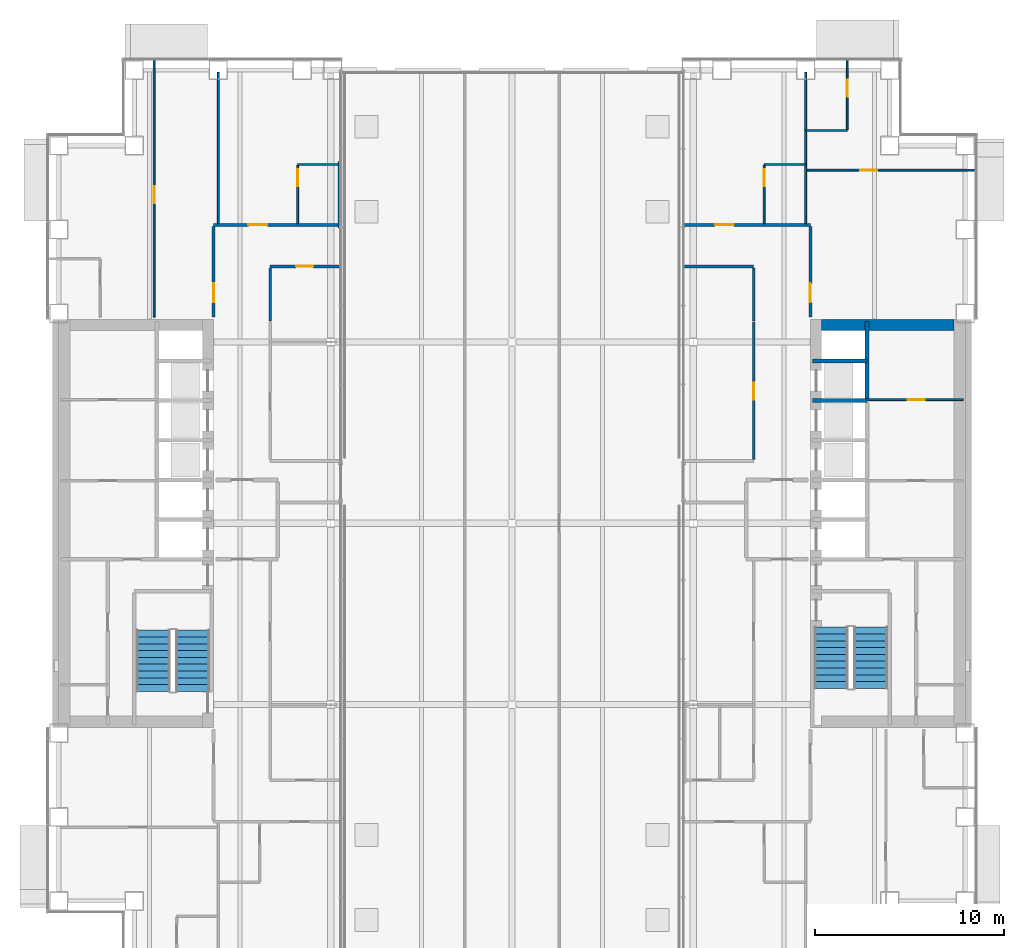
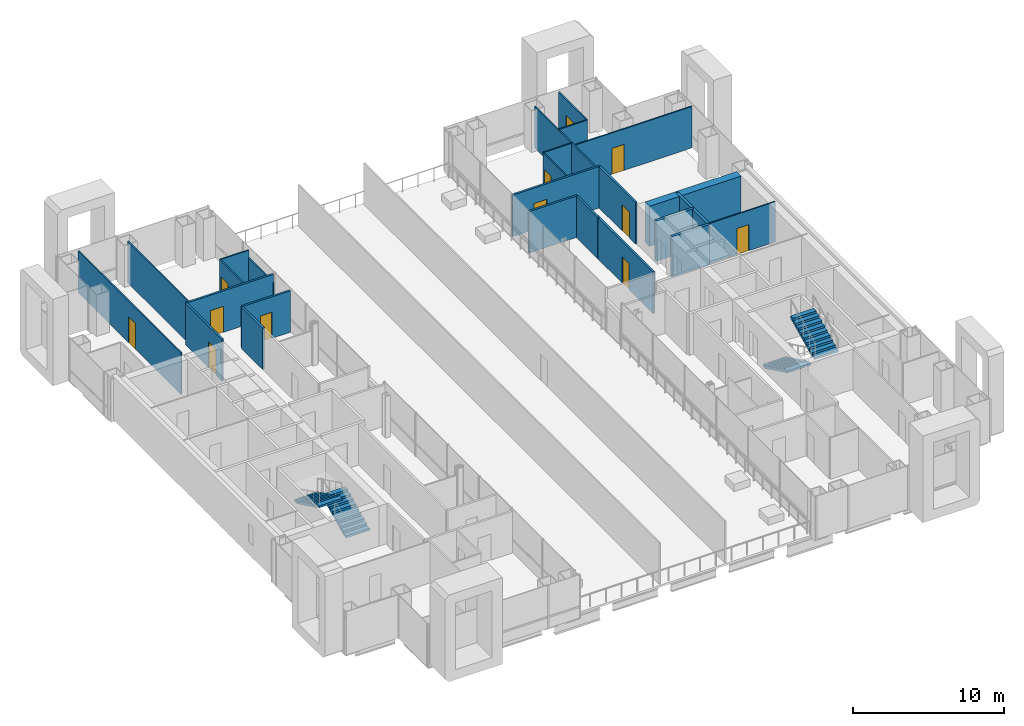
# One storey, part 20 of 24: 25 walls, 12 doors, 4 stair flights, 12 openings, 2 elements without a shape of their own.
"""IFC4 building model written with IfcOpenShell, lengths in metres."""

from ifc_helpers import new_model, si_unit, direction, frame, frame_2d, origin, place, context, subcontext, project, spatial, polyline, rectangle, outline, extrude, material, layer, layer_set, type_object, element, fill, aggregate, save


model = new_model("IFC4")

# Units and contexts
model_context = context("Model", 3, precision=1e-05, world=origin(), true_north=direction((0.0, 1.0)))
body_context = subcontext(model_context, "Body", "Model", "MODEL_VIEW")
ifc_project = project(units=[si_unit("LENGTHUNIT", "METRE"), si_unit("AREAUNIT", "SQUARE_METRE"), si_unit("VOLUMEUNIT", "CUBIC_METRE"), si_unit("PLANEANGLEUNIT", "RADIAN"), si_unit("MASSUNIT", "GRAM", prefix="KILO")], contexts=[model_context])

# Site, building, storey
site_placement = place(None, origin())
site = spatial("IfcSite", under=ifc_project, at=site_placement, CompositionType="ELEMENT")
building_placement = place(site_placement, origin())
building = spatial("IfcBuilding", under=site, at=building_placement, Name="Cobrizo Arcos Hotel Tower", CompositionType="ELEMENT")
storey_placement = place(building_placement, frame((0.0, 0.0, 60.0)))
storey = spatial("IfcBuildingStorey", under=building, at=storey_placement, Name="L13", CompositionType="ELEMENT", Elevation=60.0)

# Wall, opening, door
ifc_material_1 = material(Name="Gypsum board partition")
ifc_layer_1 = layer(ifc_material_1, 0.14990234375)
ifc_layer_set_1 = layer_set([ifc_layer_1], Name="Corridor wall EI 60 150")
wall_type_1 = type_object("IfcWallType", Name="Corridor wall EI 60 150", PredefinedType="PARTITIONING", material=ifc_layer_set_1)
wall_1_placement = place(storey_placement, frame((-12.800048828125, 13.60009765625, 0.0), z_axis=(0.0, 0.0, 1.0), x_axis=(1.0, 0.0, 0.0)))
wall_1 = element("IfcWall", 1, at=wall_1_placement, inside=storey, type_object=wall_type_1, Name="Partition 044", PredefinedType="PARTITIONING", context=body_context, shape_type="SweptSolid", body=[
    extrude(rectangle(XDim=3.679931640625, YDim=0.14990234375, at=frame_2d((1.83984375, 0.0))), origin(), (0.0, 0.0, 1.0), 3.35009765625),
])
opening_1_placement = place(wall_1_placement, frame((1.375, 0.0, 0.0)))
opening_1 = element("IfcOpeningElement", 2, at=opening_1_placement, cuts=wall_1, Name="Opening RD-16", PredefinedType="OPENING", context=body_context, shape_type="SweptSolid", body=[
    extrude(rectangle(XDim=0.89990234375, YDim=2.10009765625, at=frame_2d((0.449951171875, 1.050048828125))), frame((0.0, 0.0869140625, 0.0), z_axis=(0.0, -1.0, 0.0), x_axis=(1.0, 0.0, 0.0)), (0.0, 0.0, 1.0), 0.173828125),
])
ifc_material_2 = material(Name="Timber door leaf", Category="wood")
door_type_1 = type_object("IfcDoorType", Name="Room door FD30 900x2100", OperationType="SINGLE_SWING_LEFT", PredefinedType="DOOR", material=ifc_material_2)
door_1_placement = place(opening_1_placement, origin())
door_1 = element("IfcDoor", 3, at=door_1_placement, inside=storey, type_object=door_type_1, Name="Door RD-16", OperationType="SINGLE_SWING_RIGHT", OverallHeight=2.10009765625, OverallWidth=0.89990234375, PredefinedType="DOOR", context=body_context, shape_type="SweptSolid", body=[
    extrude(rectangle(XDim=0.89990234375, YDim=2.10009765625, at=frame_2d((0.449951171875, 1.050048828125))), frame((0.0, 0.02490234375, 0.0), z_axis=(0.0, -1.0, 0.0), x_axis=(1.0, 0.0, 0.0)), (0.0, 0.0, 1.0), 0.050048828125),
])
fill(opening_1, door_1)

# Wall
wall_2_placement = place(storey_placement, frame((9.1201171875, 13.60009765625, 0.0), z_axis=(0.0, 0.0, 1.0), x_axis=(1.0, 0.0, 0.0)))
element("IfcWall", 4, at=wall_2_placement, inside=storey, type_object=wall_type_1, Name="Partition 045", PredefinedType="PARTITIONING", context=body_context, shape_type="SweptSolid", body=[
    extrude(rectangle(XDim=3.679931640625, YDim=0.14990234375, at=frame_2d((1.83984375, 0.0))), origin(), (0.0, 0.0, 1.0), 3.35009765625),
])

# Wall, opening, door
wall_3_placement = place(storey_placement, frame((-15.800048828125, 15.800048828125, 0.0), z_axis=(0.0, 0.0, 1.0), x_axis=(1.0, 0.0, 0.0)))
wall_3 = element("IfcWall", 5, at=wall_3_placement, inside=storey, type_object=wall_type_1, Name="Partition 047", PredefinedType="PARTITIONING", context=body_context, shape_type="SweptSolid", body=[
    extrude(rectangle(XDim=6.650146484375, YDim=0.14990234375, at=frame_2d((3.3251953125, 0.0))), origin(), (0.0, 0.0, 1.0), 3.35009765625),
])
opening_2_placement = place(wall_3_placement, frame((1.846923828125, 0.0, 0.0)))
opening_2 = element("IfcOpeningElement", 6, at=opening_2_placement, cuts=wall_3, Name="Opening GD-02", PredefinedType="OPENING", context=body_context, shape_type="SweptSolid", body=[
    extrude(rectangle(XDim=1.0, YDim=2.10009765625, at=frame_2d((0.5, 1.050048828125))), frame((0.0, 0.0869140625, 0.0), z_axis=(0.0, -1.0, 0.0), x_axis=(1.0, 0.0, 0.0)), (0.0, 0.0, 1.0), 0.173828125),
])
door_type_2 = type_object("IfcDoorType", Name="Guest room door FD30S 1000x2100", OperationType="SINGLE_SWING_LEFT", PredefinedType="DOOR", material=ifc_material_2)
door_2_placement = place(opening_2_placement, origin())
door_2 = element("IfcDoor", 7, at=door_2_placement, inside=storey, type_object=door_type_2, Name="Door GD-02", OperationType="SINGLE_SWING_RIGHT", OverallHeight=2.10009765625, OverallWidth=1.0, PredefinedType="DOOR", context=body_context, shape_type="SweptSolid", body=[
    extrude(rectangle(XDim=1.0, YDim=2.10009765625, at=frame_2d((0.5, 1.050048828125))), frame((0.0, 0.02490234375, 0.0), z_axis=(0.0, -1.0, 0.0), x_axis=(1.0, 0.0, 0.0)), (0.0, 0.0, 1.0), 0.050048828125),
])
fill(opening_2, door_2)

wall_4_placement = place(storey_placement, frame((9.1201171875, 15.800048828125, 0.0), z_axis=(0.0, 0.0, 1.0), x_axis=(1.0, 0.0, 0.0)))
wall_4 = element("IfcWall", 8, at=wall_4_placement, inside=storey, type_object=wall_type_1, Name="Partition 048", PredefinedType="PARTITIONING", context=body_context, shape_type="SweptSolid", body=[
    extrude(rectangle(XDim=6.679931640625, YDim=0.14990234375, at=frame_2d((3.33984375, 0.0))), origin(), (0.0, 0.0, 1.0), 3.35009765625),
])
opening_3_placement = place(wall_4_placement, frame((1.633056640625, 0.0, 0.0)))
opening_3 = element("IfcOpeningElement", 9, at=opening_3_placement, cuts=wall_4, Name="Opening GD-01", PredefinedType="OPENING", context=body_context, shape_type="SweptSolid", body=[
    extrude(rectangle(XDim=1.0, YDim=2.10009765625, at=frame_2d((0.5, 1.050048828125))), frame((0.0, 0.0869140625, 0.0), z_axis=(0.0, -1.0, 0.0), x_axis=(1.0, 0.0, 0.0)), (0.0, 0.0, 1.0), 0.173828125),
])
door_3_placement = place(opening_3_placement, origin())
door_3 = element("IfcDoor", 10, at=door_3_placement, inside=storey, type_object=door_type_2, Name="Door GD-01", OperationType="SINGLE_SWING_RIGHT", OverallHeight=2.10009765625, OverallWidth=1.0, PredefinedType="DOOR", context=body_context, shape_type="SweptSolid", body=[
    extrude(rectangle(XDim=1.0, YDim=2.10009765625, at=frame_2d((0.5, 1.050048828125))), frame((0.0, 0.02490234375, 0.0), z_axis=(0.0, -1.0, 0.0), x_axis=(1.0, 0.0, 0.0)), (0.0, 0.0, 1.0), 0.050048828125),
])
fill(opening_3, door_3)

wall_5_placement = place(storey_placement, frame((-15.800048828125, 10.919921875, 0.0), z_axis=(0.0, 0.0, 1.0), x_axis=(0.0, 1.0, 0.0)))
wall_5 = element("IfcWall", 11, at=wall_5_placement, inside=storey, type_object=wall_type_1, Name="Partition 062", PredefinedType="PARTITIONING", context=body_context, shape_type="SweptSolid", body=[
    extrude(rectangle(XDim=4.80517578125, YDim=0.14990234375, at=frame_2d((2.402587890625, 0.0))), origin(), (0.0, 0.0, 1.0), 3.35009765625),
])
opening_4_placement = place(wall_5_placement, frame((0.780029296875, 0.0, 0.0)))
opening_4 = element("IfcOpeningElement", 12, at=opening_4_placement, cuts=wall_5, Name="Opening GD-06", PredefinedType="OPENING", context=body_context, shape_type="SweptSolid", body=[
    extrude(rectangle(XDim=1.0, YDim=2.10009765625, at=frame_2d((0.5, 1.050048828125))), frame((0.0, 0.0869140625, 0.0), z_axis=(0.0, -1.0, 0.0), x_axis=(1.0, 0.0, 0.0)), (0.0, 0.0, 1.0), 0.173828125),
])
door_4_placement = place(opening_4_placement, origin())
door_4 = element("IfcDoor", 13, at=door_4_placement, inside=storey, type_object=door_type_2, Name="Door GD-06", OperationType="SINGLE_SWING_LEFT", OverallHeight=2.10009765625, OverallWidth=1.0, PredefinedType="DOOR", context=body_context, shape_type="SweptSolid", body=[
    extrude(rectangle(XDim=1.0, YDim=2.10009765625, at=frame_2d((0.5, 1.050048828125))), frame((0.0, 0.02490234375, 0.0), z_axis=(0.0, -1.0, 0.0), x_axis=(1.0, 0.0, 0.0)), (0.0, 0.0, 1.0), 0.050048828125),
])
fill(opening_4, door_4)

# Wall
wall_6_placement = place(storey_placement, frame((-12.800048828125, 10.699951171875, 0.0), z_axis=(0.0, 0.0, 1.0), x_axis=(0.0, 1.0, 0.0)))
element("IfcWall", 14, at=wall_6_placement, inside=storey, type_object=wall_type_1, Name="Partition 068", PredefinedType="PARTITIONING", context=body_context, shape_type="SweptSolid", body=[
    extrude(rectangle(XDim=2.824951171875, YDim=0.14990234375, at=frame_2d((1.41259765625, 0.0))), origin(), (0.0, 0.0, 1.0), 3.35009765625),
])

# Wall, opening, door
wall_7_placement = place(storey_placement, frame((12.800048828125, 3.375, 0.0), z_axis=(0.0, 0.0, 1.0), x_axis=(0.0, 1.0, 0.0)))
wall_7 = element("IfcWall", 15, at=wall_7_placement, inside=storey, type_object=wall_type_1, Name="Partition 078", PredefinedType="PARTITIONING", context=body_context, shape_type="SweptSolid", body=[
    extrude(rectangle(XDim=7.27490234375, YDim=0.14990234375, at=frame_2d((3.637451171875, 0.0))), origin(), (0.0, 0.0, 1.0), 3.35009765625),
])
opening_5_placement = place(wall_7_placement, frame((3.175048828125, 0.0, 0.0)))
opening_5 = element("IfcOpeningElement", 16, at=opening_5_placement, cuts=wall_7, Name="Opening RD-18", PredefinedType="OPENING", context=body_context, shape_type="SweptSolid", body=[
    extrude(rectangle(XDim=0.89990234375, YDim=2.10009765625, at=frame_2d((0.449951171875, 1.050048828125))), frame((0.0, 0.0869140625, 0.0), z_axis=(0.0, -1.0, 0.0), x_axis=(1.0, 0.0, 0.0)), (0.0, 0.0, 1.0), 0.173828125),
])
door_5_placement = place(opening_5_placement, origin())
door_5 = element("IfcDoor", 17, at=door_5_placement, inside=storey, type_object=door_type_1, Name="Door RD-18", OperationType="SINGLE_SWING_LEFT", OverallHeight=2.10009765625, OverallWidth=0.89990234375, PredefinedType="DOOR", context=body_context, shape_type="SweptSolid", body=[
    extrude(rectangle(XDim=0.89990234375, YDim=2.10009765625, at=frame_2d((0.449951171875, 1.050048828125))), frame((0.0, 0.02490234375, 0.0), z_axis=(0.0, -1.0, 0.0), x_axis=(1.0, 0.0, 0.0)), (0.0, 0.0, 1.0), 0.050048828125),
])
fill(opening_5, door_5)

# Wall
wall_8_placement = place(storey_placement, frame((12.800048828125, 10.699951171875, 0.0), z_axis=(0.0, 0.0, 1.0), x_axis=(0.0, 1.0, 0.0)))
element("IfcWall", 18, at=wall_8_placement, inside=storey, type_object=wall_type_1, Name="Partition 079", PredefinedType="PARTITIONING", context=body_context, shape_type="SweptSolid", body=[
    extrude(rectangle(XDim=2.824951171875, YDim=0.14990234375, at=frame_2d((1.41259765625, 0.0))), origin(), (0.0, 0.0, 1.0), 3.35009765625),
])

# Wall, opening, door
wall_9_placement = place(storey_placement, frame((15.800048828125, 10.919921875, 0.0), z_axis=(0.0, 0.0, 1.0), x_axis=(0.0, 1.0, 0.0)))
wall_9 = element("IfcWall", 19, at=wall_9_placement, inside=storey, type_object=wall_type_1, Name="Partition 085", PredefinedType="PARTITIONING", context=body_context, shape_type="SweptSolid", body=[
    extrude(rectangle(XDim=4.80517578125, YDim=0.14990234375, at=frame_2d((2.402587890625, 0.0))), origin(), (0.0, 0.0, 1.0), 3.35009765625),
])
opening_6_placement = place(wall_9_placement, frame((0.780029296875, 0.0, 0.0)))
opening_6 = element("IfcOpeningElement", 20, at=opening_6_placement, cuts=wall_9, Name="Opening GD-08", PredefinedType="OPENING", context=body_context, shape_type="SweptSolid", body=[
    extrude(rectangle(XDim=1.0, YDim=2.10009765625, at=frame_2d((0.5, 1.050048828125))), frame((0.0, 0.0869140625, 0.0), z_axis=(0.0, -1.0, 0.0), x_axis=(1.0, 0.0, 0.0)), (0.0, 0.0, 1.0), 0.173828125),
])
door_6_placement = place(opening_6_placement, origin())
door_6 = element("IfcDoor", 21, at=door_6_placement, inside=storey, type_object=door_type_2, Name="Door GD-08", OperationType="SINGLE_SWING_LEFT", OverallHeight=2.10009765625, OverallWidth=1.0, PredefinedType="DOOR", context=body_context, shape_type="SweptSolid", body=[
    extrude(rectangle(XDim=1.0, YDim=2.10009765625, at=frame_2d((0.5, 1.050048828125))), frame((0.0, 0.02490234375, 0.0), z_axis=(0.0, -1.0, 0.0), x_axis=(1.0, 0.0, 0.0)), (0.0, 0.0, 1.0), 0.050048828125),
])
fill(opening_6, door_6)

ifc_layer_2 = layer(ifc_material_1, 0.10009765625)
ifc_layer_set_2 = layer_set([ifc_layer_2], Name="Partition EI 30 100")
wall_type_2 = type_object("IfcWallType", Name="Partition EI 30 100", PredefinedType="PARTITIONING", material=ifc_layer_set_2)
wall_10_placement = place(storey_placement, frame((18.800048828125, 6.550048828125, 0.0), z_axis=(0.0, 0.0, 1.0), x_axis=(1.0, 0.0, 0.0)))
wall_10 = element("IfcWall", 22, at=wall_10_placement, inside=storey, type_object=wall_type_2, Name="Partition 039", PredefinedType="PARTITIONING", context=body_context, shape_type="SweptSolid", body=[
    extrude(rectangle(XDim=5.079833984375, YDim=0.10009765625, at=frame_2d((2.5400390625, 0.0))), origin(), (0.0, 0.0, 1.0), 3.25),
])
opening_7_placement = place(wall_10_placement, frame((2.14990234375, 0.0, 0.0)))
opening_7 = element("IfcOpeningElement", 23, at=opening_7_placement, cuts=wall_10, Name="Opening RD-10", PredefinedType="OPENING", context=body_context, shape_type="SweptSolid", body=[
    extrude(rectangle(XDim=0.89990234375, YDim=2.10009765625, at=frame_2d((0.449951171875, 1.050048828125))), frame((0.0, 0.06201171875, 0.0), z_axis=(0.0, -1.0, 0.0), x_axis=(1.0, 0.0, 0.0)), (0.0, 0.0, 1.0), 0.1240234375),
])
door_7_placement = place(opening_7_placement, origin())
door_7 = element("IfcDoor", 24, at=door_7_placement, inside=storey, type_object=door_type_1, Name="Door RD-10", OperationType="SINGLE_SWING_RIGHT", OverallHeight=2.10009765625, OverallWidth=0.89990234375, PredefinedType="DOOR", context=body_context, shape_type="SweptSolid", body=[
    extrude(rectangle(XDim=0.89990234375, YDim=2.10009765625, at=frame_2d((0.449951171875, 1.050048828125))), frame((0.0, 0.02490234375, 0.0), z_axis=(0.0, -1.0, 0.0), x_axis=(1.0, 0.0, 0.0)), (0.0, 0.0, 1.0), 0.050048828125),
])
fill(opening_7, door_7)

wall_11_placement = place(storey_placement, frame((15.550048828125, 18.699951171875, 0.0), z_axis=(0.0, 0.0, 1.0), x_axis=(1.0, 0.0, 0.0)))
wall_11 = element("IfcWall", 25, at=wall_11_placement, inside=storey, type_object=wall_type_2, Name="Partition 049", PredefinedType="PARTITIONING", context=body_context, shape_type="SweptSolid", body=[
    extrude(rectangle(XDim=8.97998046875, YDim=0.10009765625, at=frame_2d((4.489990234375, 0.0))), origin(), (0.0, 0.0, 1.0), 3.35009765625),
])
opening_8_placement = place(wall_11_placement, frame((2.8779296875, 0.0, 0.0)))
opening_8 = element("IfcOpeningElement", 26, at=opening_8_placement, cuts=wall_11, Name="Opening RD-14", PredefinedType="OPENING", context=body_context, shape_type="SweptSolid", body=[
    extrude(rectangle(XDim=0.89990234375, YDim=2.10009765625, at=frame_2d((0.449951171875, 1.050048828125))), frame((0.0, 0.06201171875, 0.0), z_axis=(0.0, -1.0, 0.0), x_axis=(1.0, 0.0, 0.0)), (0.0, 0.0, 1.0), 0.1240234375),
])
door_8_placement = place(opening_8_placement, origin())
door_8 = element("IfcDoor", 27, at=door_8_placement, inside=storey, type_object=door_type_1, Name="Door RD-14", OperationType="SINGLE_SWING_RIGHT", OverallHeight=2.10009765625, OverallWidth=0.89990234375, PredefinedType="DOOR", context=body_context, shape_type="SweptSolid", body=[
    extrude(rectangle(XDim=0.89990234375, YDim=2.10009765625, at=frame_2d((0.449951171875, 1.050048828125))), frame((0.0, 0.02490234375, 0.0), z_axis=(0.0, -1.0, 0.0), x_axis=(1.0, 0.0, 0.0)), (0.0, 0.0, 1.0), 0.050048828125),
])
fill(opening_8, door_8)

# Walls
wall_12_placement = place(storey_placement, frame((-11.35009765625, 19.0, 0.0), z_axis=(0.0, 0.0, 1.0), x_axis=(1.0, 0.0, 0.0)))
element("IfcWall", 28, at=wall_12_placement, inside=storey, type_object=wall_type_2, Name="Partition 050", PredefinedType="PARTITIONING", context=body_context, shape_type="SweptSolid", body=[
    extrude(rectangle(XDim=2.2001953125, YDim=0.10009765625, at=frame_2d((1.10009765625, 0.0))), origin(), (0.0, 0.0, 1.0), 3.35009765625),
])
for number, where, z_axis, x_axis, name in (
    (29, (13.35009765625, 19.0, 0.0), (0.0, 0.0, 1.0), (1.0, 0.0, 0.0), "Partition 051"),
    (30, (15.550048828125, 20.800048828125, 0.0), (0.0, 0.0, 1.0), (1.0, 0.0, 0.0), "Partition 052"),
):
    element("IfcWall", number, at=place(storey_placement, frame(where, z_axis=z_axis, x_axis=x_axis)), inside=storey, type_object=wall_type_2, Name=name, PredefinedType="PARTITIONING", context=body_context, shape_type="SweptSolid", body=[
        extrude(rectangle(XDim=2.199951171875, YDim=0.10009765625, at=frame_2d((1.10009765625, 0.0))), origin(), (0.0, 0.0, 1.0), 3.35009765625),
    ])

# Wall, opening, door
wall_13_placement = place(storey_placement, frame((-18.949951171875, 10.919921875, 0.0), z_axis=(0.0, 0.0, 1.0), x_axis=(0.0, 1.0, 0.0)))
wall_13 = element("IfcWall", 31, at=wall_13_placement, inside=storey, type_object=wall_type_2, Name="Partition 056", PredefinedType="PARTITIONING", context=body_context, shape_type="SweptSolid", body=[
    extrude(rectangle(XDim=13.610107421875, YDim=0.10009765625, at=frame_2d((6.80517578125, 0.0))), origin(), (0.0, 0.0, 1.0), 3.35009765625),
])
opening_9_placement = place(wall_13_placement, frame((6.030029296875, 0.0, 0.0)))
opening_9 = element("IfcOpeningElement", 32, at=opening_9_placement, cuts=wall_13, Name="Opening RD-12", PredefinedType="OPENING", context=body_context, shape_type="SweptSolid", body=[
    extrude(rectangle(XDim=0.89990234375, YDim=2.10009765625, at=frame_2d((0.449951171875, 1.050048828125))), frame((0.0, 0.06201171875, 0.0), z_axis=(0.0, -1.0, 0.0), x_axis=(1.0, 0.0, 0.0)), (0.0, 0.0, 1.0), 0.1240234375),
])
door_9_placement = place(opening_9_placement, origin())
door_9 = element("IfcDoor", 33, at=door_9_placement, inside=storey, type_object=door_type_1, Name="Door RD-12", OperationType="SINGLE_SWING_LEFT", OverallHeight=2.10009765625, OverallWidth=0.89990234375, PredefinedType="DOOR", context=body_context, shape_type="SweptSolid", body=[
    extrude(rectangle(XDim=0.89990234375, YDim=2.10009765625, at=frame_2d((0.449951171875, 1.050048828125))), frame((0.0, 0.02490234375, 0.0), z_axis=(0.0, -1.0, 0.0), x_axis=(1.0, 0.0, 0.0)), (0.0, 0.0, 1.0), 0.050048828125),
])
fill(opening_9, door_9)

# Wall
wall_14_placement = place(storey_placement, frame((-15.550048828125, 15.875, 0.0), z_axis=(0.0, 0.0, 1.0), x_axis=(0.0, 1.0, 0.0)))
element("IfcWall", 34, at=wall_14_placement, inside=storey, type_object=wall_type_2, Name="Partition 064", PredefinedType="PARTITIONING", context=body_context, shape_type="SweptSolid", body=[
    extrude(rectangle(XDim=8.0048828125, YDim=0.10009765625, at=frame_2d((4.00244140625, 0.0))), origin(), (0.0, 0.0, 1.0), 3.35009765625),
])

# Wall, opening, door
wall_15_placement = place(storey_placement, frame((-11.35009765625, 15.875, 0.0), z_axis=(0.0, 0.0, 1.0), x_axis=(0.0, 1.0, 0.0)))
wall_15 = element("IfcWall", 35, at=wall_15_placement, inside=storey, type_object=wall_type_2, Name="Partition 070", PredefinedType="PARTITIONING", context=body_context, shape_type="SweptSolid", body=[
    extrude(rectangle(XDim=3.074951171875, YDim=0.10009765625, at=frame_2d((1.53759765625, 0.0))), origin(), (0.0, 0.0, 1.0), 3.35009765625),
])
opening_10_placement = place(wall_15_placement, frame((1.970947265625, 0.0, 0.0)))
opening_10 = element("IfcOpeningElement", 36, at=opening_10_placement, cuts=wall_15, Name="Opening ED-02", PredefinedType="OPENING", context=body_context, shape_type="SweptSolid", body=[
    extrude(rectangle(XDim=0.89990234375, YDim=2.10009765625, at=frame_2d((0.449951171875, 1.050048828125))), frame((0.0, 0.06201171875, 0.0), z_axis=(0.0, -1.0, 0.0), x_axis=(1.0, 0.0, 0.0)), (0.0, 0.0, 1.0), 0.1240234375),
])
door_type_3 = type_object("IfcDoorType", Name="En-suite door 900x2100", OperationType="SINGLE_SWING_LEFT", PredefinedType="DOOR", material=ifc_material_2)
door_10_placement = place(opening_10_placement, origin())
door_10 = element("IfcDoor", 37, at=door_10_placement, inside=storey, type_object=door_type_3, Name="Door ED-02", OperationType="SINGLE_SWING_LEFT", OverallHeight=2.10009765625, OverallWidth=0.89990234375, PredefinedType="DOOR", context=body_context, shape_type="SweptSolid", body=[
    extrude(rectangle(XDim=0.89990234375, YDim=2.10009765625, at=frame_2d((0.449951171875, 1.050048828125))), frame((0.0, 0.02490234375, 0.0), z_axis=(0.0, -1.0, 0.0), x_axis=(1.0, 0.0, 0.0)), (0.0, 0.0, 1.0), 0.050048828125),
])
fill(opening_10, door_10)

# Wall
wall_16_placement = place(storey_placement, frame((-9.14990234375, 15.659912109375, 0.0), z_axis=(0.0, 0.0, 1.0), x_axis=(0.0, 1.0, 0.0)))
element("IfcWall", 38, at=wall_16_placement, inside=storey, type_object=wall_type_2, Name="Partition 071", PredefinedType="PARTITIONING", context=body_context, shape_type="SweptSolid", body=[
    extrude(rectangle(XDim=3.47998046875, YDim=0.10009765625, at=frame_2d((1.739990234375, 0.0))), origin(), (0.0, 0.0, 1.0), 2.73291015625),
])

# Wall, opening, door
wall_17_placement = place(storey_placement, frame((13.35009765625, 15.875, 0.0), z_axis=(0.0, 0.0, 1.0), x_axis=(0.0, 1.0, 0.0)))
wall_17 = element("IfcWall", 39, at=wall_17_placement, inside=storey, type_object=wall_type_2, Name="Partition 081", PredefinedType="PARTITIONING", context=body_context, shape_type="SweptSolid", body=[
    extrude(rectangle(XDim=3.074951171875, YDim=0.10009765625, at=frame_2d((1.53759765625, 0.0))), origin(), (0.0, 0.0, 1.0), 3.35009765625),
])
opening_11_placement = place(wall_17_placement, frame((1.970947265625, 0.0, 0.0)))
opening_11 = element("IfcOpeningElement", 40, at=opening_11_placement, cuts=wall_17, Name="Opening ED-01", PredefinedType="OPENING", context=body_context, shape_type="SweptSolid", body=[
    extrude(rectangle(XDim=0.89990234375, YDim=2.10009765625, at=frame_2d((0.449951171875, 1.050048828125))), frame((0.0, 0.06201171875, 0.0), z_axis=(0.0, -1.0, 0.0), x_axis=(1.0, 0.0, 0.0)), (0.0, 0.0, 1.0), 0.1240234375),
])
door_11_placement = place(opening_11_placement, origin())
door_11 = element("IfcDoor", 41, at=door_11_placement, inside=storey, type_object=door_type_3, Name="Door ED-01", OperationType="SINGLE_SWING_LEFT", OverallHeight=2.10009765625, OverallWidth=0.89990234375, PredefinedType="DOOR", context=body_context, shape_type="SweptSolid", body=[
    extrude(rectangle(XDim=0.89990234375, YDim=2.10009765625, at=frame_2d((0.449951171875, 1.050048828125))), frame((0.0, 0.02490234375, 0.0), z_axis=(0.0, -1.0, 0.0), x_axis=(1.0, 0.0, 0.0)), (0.0, 0.0, 1.0), 0.050048828125),
])
fill(opening_11, door_11)

# Wall
wall_18_placement = place(storey_placement, frame((15.550048828125, 15.875, 0.0), z_axis=(0.0, 0.0, 1.0), x_axis=(0.0, 1.0, 0.0)))
element("IfcWall", 42, at=wall_18_placement, inside=storey, type_object=wall_type_2, Name="Partition 083", PredefinedType="PARTITIONING", context=body_context, shape_type="SweptSolid", body=[
    extrude(rectangle(XDim=8.0048828125, YDim=0.10009765625, at=frame_2d((4.00244140625, 0.0))), origin(), (0.0, 0.0, 1.0), 3.35009765625),
])

# Wall, opening, door
wall_19_placement = place(storey_placement, frame((17.75, 20.85009765625, 0.0), z_axis=(0.0, 0.0, 1.0), x_axis=(0.0, 1.0, 0.0)))
wall_19 = element("IfcWall", 43, at=wall_19_placement, inside=storey, type_object=wall_type_2, Name="Partition 086", PredefinedType="PARTITIONING", context=body_context, shape_type="SweptSolid", body=[
    extrude(rectangle(XDim=3.679931640625, YDim=0.10009765625, at=frame_2d((1.83984375, 0.0))), origin(), (0.0, 0.0, 1.0), 3.35009765625),
])
opening_12_placement = place(wall_19_placement, frame((1.739990234375, 0.0, 0.0)))
opening_12 = element("IfcOpeningElement", 44, at=opening_12_placement, cuts=wall_19, Name="Opening ED-08", PredefinedType="OPENING", context=body_context, shape_type="SweptSolid", body=[
    extrude(rectangle(XDim=0.89990234375, YDim=2.10009765625, at=frame_2d((0.449951171875, 1.050048828125))), frame((0.0, 0.06201171875, 0.0), z_axis=(0.0, -1.0, 0.0), x_axis=(1.0, 0.0, 0.0)), (0.0, 0.0, 1.0), 0.1240234375),
])
door_12_placement = place(opening_12_placement, origin())
door_12 = element("IfcDoor", 45, at=door_12_placement, inside=storey, type_object=door_type_3, Name="Door ED-08", OperationType="SINGLE_SWING_LEFT", OverallHeight=2.10009765625, OverallWidth=0.89990234375, PredefinedType="DOOR", context=body_context, shape_type="SweptSolid", body=[
    extrude(rectangle(XDim=0.89990234375, YDim=2.10009765625, at=frame_2d((0.449951171875, 1.050048828125))), frame((0.0, 0.02490234375, 0.0), z_axis=(0.0, -1.0, 0.0), x_axis=(1.0, 0.0, 0.0)), (0.0, 0.0, 1.0), 0.050048828125),
])
fill(opening_12, door_12)

# Walls
ifc_material_3 = material(Name="Concrete f'c 60 MPa", Category="concrete")
ifc_layer_3 = layer(ifc_material_3, 0.60009765625)
ifc_layer_set_3 = layer_set([ifc_layer_3], Name="RC core wall 600 f'c 60")
wall_type_3 = type_object("IfcWallType", Name="RC core wall 600 f'c 60", PredefinedType="SHEAR", material=ifc_layer_set_3)
wall_20_placement = place(storey_placement, frame((16.39990234375, 10.5, 0.0), z_axis=(0.0, 0.0, 1.0), x_axis=(1.0, 0.0, 0.0)))
element("IfcWall", 46, at=wall_20_placement, inside=storey, type_object=wall_type_3, Name="Core wall CW1, east core, north end, L13", PredefinedType="SHEAR", context=body_context, shape_type="SweptSolid", body=[
    extrude(rectangle(XDim=7.0, YDim=0.60009765625, at=frame_2d((3.5, 0.0))), origin(), (0.0, 0.0, 1.0), 3.25),
])
ifc_layer_4 = layer(ifc_material_1, 0.199951171875)
ifc_layer_set_4 = layer_set([ifc_layer_4], Name="Shaft wall EI 120 200")
wall_type_4 = type_object("IfcWallType", Name="Shaft wall EI 120 200", PredefinedType="PARTITIONING", material=ifc_layer_set_4)
for number, where, z_axis, x_axis, name in (
    (47, (15.919921875, 6.5, 0.0), (0.0, 0.0, 1.0), (1.0, 0.0, 0.0), "Partition 037"),
    (48, (15.919921875, 8.60009765625, 0.0), (0.0, 0.0, 1.0), (1.0, 0.0, 0.0), "Partition 041"),
):
    element("IfcWall", number, at=place(storey_placement, frame(where, z_axis=z_axis, x_axis=x_axis)), inside=storey, type_object=wall_type_4, Name=name, PredefinedType="PARTITIONING", context=body_context, shape_type="SweptSolid", body=[
        extrude(rectangle(XDim=2.880126953125, YDim=0.199951171875, at=frame_2d((1.43994140625, 0.0))), origin(), (0.0, 0.0, 1.0), 3.25),
    ])
wall_21_placement = place(storey_placement, frame((18.800048828125, 6.60009765625, 0.0), z_axis=(0.0, 0.0, 1.0), x_axis=(0.0, 1.0, 0.0)))
element("IfcWall", 49, at=wall_21_placement, inside=storey, type_object=wall_type_4, Name="Partition 089", PredefinedType="PARTITIONING", context=body_context, shape_type="SweptSolid", body=[
    extrude(rectangle(XDim=4.079833984375, YDim=0.199951171875, at=frame_2d((2.0400390625, 0.0))), origin(), (0.0, 0.0, 1.0), 3.25),
])

# Stair, stair flights
ifc_material_4 = material(Name="Concrete f'c 40 MPa", Category="concrete")
stair_type = type_object("IfcStairType", Name="Exit stair", PredefinedType="HALF_TURN_STAIR", material=ifc_material_4)
stair_1_placement = place(storey_placement, origin())
stair_1 = element("IfcStair", 50, at=stair_1_placement, inside=storey, type_object=stair_type, Name="L13 Exit stair ST-W", PredefinedType="HALF_TURN_STAIR")
stair_flight_type = type_object("IfcStairFlightType", Name="Exit stair flight", PredefinedType="STRAIGHT", material=ifc_material_4)
stair_flight_1_placement = place(storey_placement, frame((-16.89990234375, -8.89990234375, 0.0), z_axis=(0.0, 0.0, 1.0), x_axis=(0.0, 1.0, 0.0)))
stair_flight_1 = element("IfcStairFlight", 51, at=stair_flight_1_placement, type_object=stair_flight_type, Name="ST-W flight 1", NumberOfRisers=10, NumberOfTreads=9, PredefinedType="STRAIGHT", RiserHeight=0.175, TreadLength=0.36, context=body_context, shape_type="SweptSolid", body=[
    extrude(outline(polyline([(0.0, 0.0), (0.0, 0.175048828125), (0.360107421875, 0.175048828125), (0.360107421875, 0.35009765625), (0.719970703125, 0.35009765625), (0.719970703125, 0.52490234375), (1.080078125, 0.52490234375), (1.080078125, 0.699951171875), (1.43994140625, 0.699951171875), (1.43994140625, 0.875), (1.800048828125, 0.875), (1.800048828125, 1.050048828125), (2.159912109375, 1.050048828125), (2.159912109375, 1.22509765625), (2.52001953125, 1.22509765625), (2.52001953125, 1.39990234375), (2.8798828125, 1.39990234375), (2.8798828125, 1.574951171875), (3.239990234375, 1.574951171875), (3.239990234375, 1.75), (3.239990234375, 1.408203125), (0.3427734375, 0.0), (0.0, 0.0)])), frame((0.0, 0.89990234375, 0.0), z_axis=(0.0, -1.0, 0.0), x_axis=(1.0, 0.0, 0.0)), (0.0, 0.0, 1.0), 1.800048828125),
])
stair_flight_2_placement = place(storey_placement, frame((-19.0, -5.659912109375, 1.75), z_axis=(0.0, 0.0, 1.0), x_axis=(0.0, -1.0, 0.0)))
stair_flight_2 = element("IfcStairFlight", 52, at=stair_flight_2_placement, type_object=stair_flight_type, Name="ST-W flight 2", NumberOfRisers=10, NumberOfTreads=9, PredefinedType="STRAIGHT", RiserHeight=0.175, TreadLength=0.36, context=body_context, shape_type="SweptSolid", body=[
    extrude(outline(polyline([(0.0, 0.0), (0.0, 0.175048828125), (0.360107421875, 0.175048828125), (0.360107421875, 0.35009765625), (0.719970703125, 0.35009765625), (0.719970703125, 0.52490234375), (1.080078125, 0.52490234375), (1.080078125, 0.699951171875), (1.43994140625, 0.699951171875), (1.43994140625, 0.875), (1.800048828125, 0.875), (1.800048828125, 1.050048828125), (2.159912109375, 1.050048828125), (2.159912109375, 1.22509765625), (2.52001953125, 1.22509765625), (2.52001953125, 1.39990234375), (2.8798828125, 1.39990234375), (2.8798828125, 1.574951171875), (3.239990234375, 1.574951171875), (3.239990234375, 1.75), (3.239990234375, 1.408203125), (0.3427734375, 0.0), (0.0, 0.0)])), frame((0.0, 0.89990234375, 0.0), z_axis=(0.0, -1.0, 0.0), x_axis=(1.0, 0.0, 0.0)), (0.0, 0.0, 1.0), 1.800048828125),
])
aggregate(stair_1, [stair_flight_1, stair_flight_2])

stair_2_placement = place(storey_placement, origin())
stair_2 = element("IfcStair", 53, at=stair_2_placement, inside=storey, type_object=stair_type, Name="L13 Exit stair ST-E", PredefinedType="HALF_TURN_STAIR")
stair_flight_3_placement = place(storey_placement, frame((16.89990234375, -5.5, 0.0), z_axis=(0.0, 0.0, 1.0), x_axis=(0.0, -1.0, 0.0)))
stair_flight_3 = element("IfcStairFlight", 54, at=stair_flight_3_placement, type_object=stair_flight_type, Name="ST-E flight 1", NumberOfRisers=10, NumberOfTreads=9, PredefinedType="STRAIGHT", RiserHeight=0.175, TreadLength=0.36, context=body_context, shape_type="SweptSolid", body=[
    extrude(outline(polyline([(0.0, 0.0), (0.0, 0.175048828125), (0.360107421875, 0.175048828125), (0.360107421875, 0.35009765625), (0.719970703125, 0.35009765625), (0.719970703125, 0.52490234375), (1.080078125, 0.52490234375), (1.080078125, 0.699951171875), (1.43994140625, 0.699951171875), (1.43994140625, 0.875), (1.800048828125, 0.875), (1.800048828125, 1.050048828125), (2.159912109375, 1.050048828125), (2.159912109375, 1.22509765625), (2.52001953125, 1.22509765625), (2.52001953125, 1.39990234375), (2.8798828125, 1.39990234375), (2.8798828125, 1.574951171875), (3.239990234375, 1.574951171875), (3.239990234375, 1.75), (3.239990234375, 1.408203125), (0.3427734375, 0.0), (0.0, 0.0)])), frame((0.0, 0.89990234375, 0.0), z_axis=(0.0, -1.0, 0.0), x_axis=(1.0, 0.0, 0.0)), (0.0, 0.0, 1.0), 1.800048828125),
])
stair_flight_4_placement = place(storey_placement, frame((19.0, -8.739990234375, 1.75), z_axis=(0.0, 0.0, 1.0), x_axis=(0.0, 1.0, 0.0)))
stair_flight_4 = element("IfcStairFlight", 55, at=stair_flight_4_placement, type_object=stair_flight_type, Name="ST-E flight 2", NumberOfRisers=10, NumberOfTreads=9, PredefinedType="STRAIGHT", RiserHeight=0.175, TreadLength=0.36, context=body_context, shape_type="SweptSolid", body=[
    extrude(outline(polyline([(0.0, 0.0), (0.0, 0.175048828125), (0.360107421875, 0.175048828125), (0.360107421875, 0.35009765625), (0.719970703125, 0.35009765625), (0.719970703125, 0.52490234375), (1.080078125, 0.52490234375), (1.080078125, 0.699951171875), (1.43994140625, 0.699951171875), (1.43994140625, 0.875), (1.800048828125, 0.875), (1.800048828125, 1.050048828125), (2.159912109375, 1.050048828125), (2.159912109375, 1.22509765625), (2.52001953125, 1.22509765625), (2.52001953125, 1.39990234375), (2.8798828125, 1.39990234375), (2.8798828125, 1.574951171875), (3.239990234375, 1.574951171875), (3.239990234375, 1.75), (3.239990234375, 1.408203125), (0.3427734375, 0.0), (0.0, 0.0)])), frame((0.0, 0.89990234375, 0.0), z_axis=(0.0, -1.0, 0.0), x_axis=(1.0, 0.0, 0.0)), (0.0, 0.0, 1.0), 1.800048828125),
])
aggregate(stair_2, [stair_flight_3, stair_flight_4])

save(model, "model.ifc")
